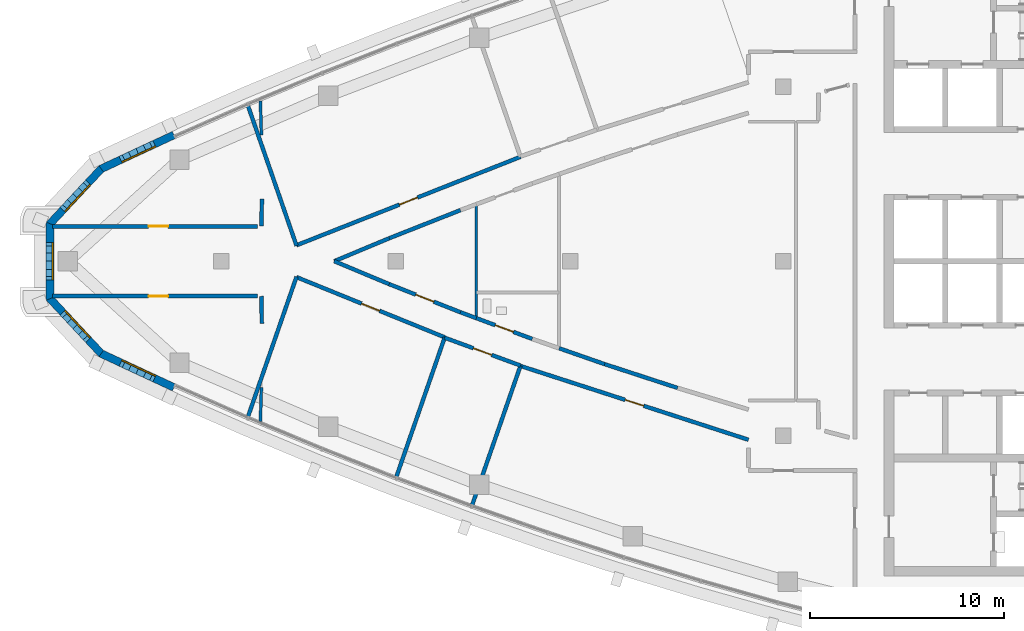
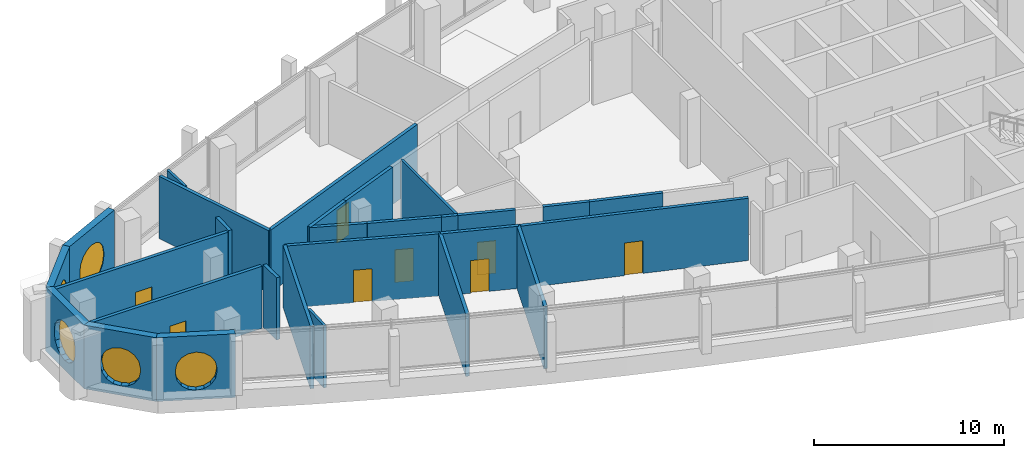
# One storey, part 7 of 15: 28 walls, 8 doors, 5 windows, 13 openings.
"""IFC4 building model written with IfcOpenShell, lengths in metres."""

from ifc_helpers import new_model, si_unit, direction, frame, frame_2d, origin, place, context, subcontext, project, spatial, polyline, rectangle, outline, extrude, material, layer, layer_set, type_object, element, fill, save


model = new_model("IFC4")

# Units and contexts
model_context = context("Model", 3, precision=1e-05, world=origin(), true_north=direction((0.0, 1.0)))
body_context = subcontext(model_context, "Body", "Model", "MODEL_VIEW")
ifc_project = project(units=[si_unit("LENGTHUNIT", "METRE"), si_unit("AREAUNIT", "SQUARE_METRE"), si_unit("VOLUMEUNIT", "CUBIC_METRE"), si_unit("PLANEANGLEUNIT", "RADIAN"), si_unit("MASSUNIT", "GRAM", prefix="KILO")], contexts=[model_context])

# Site, building, storey
site_placement = place(None, origin())
site = spatial("IfcSite", under=ifc_project, at=site_placement, CompositionType="ELEMENT")
building_placement = place(site_placement, origin())
building = spatial("IfcBuilding", under=site, at=building_placement, Name="Ostrand Prow Hotel Tower", CompositionType="ELEMENT")
storey_placement = place(building_placement, frame((0.0, 0.0, 318.60009765625)))
storey = spatial("IfcBuildingStorey", under=building, at=storey_placement, Name="C3", CompositionType="ELEMENT", Elevation=318.60009765625)

# Walls
ifc_material_1 = material(Name="Plasterboard partition")
ifc_layer_1 = layer(ifc_material_1, 0.14990234375)
ifc_layer_set_1 = layer_set([ifc_layer_1], Name="Plasterboard partition")
wall_type_1 = type_object("IfcWallType", Name="Partition 150 room partition", PredefinedType="PARTITIONING", material=ifc_layer_set_1)
wall_1_placement = place(storey_placement, frame((29.157470703125, -2.9375, 0.0), z_axis=(0.0, 0.0, 1.0), x_axis=(0.0, 1.0, 0.0)))
element("IfcWall", 1, at=wall_1_placement, inside=storey, type_object=wall_type_1, Name="ROOM PARTITION", PredefinedType="PARTITIONING", context=body_context, shape_type="SweptSolid", body=[
    extrude(rectangle(XDim=5.875, YDim=0.14990234375, at=frame_2d((2.9375, 0.0))), origin(), (0.0, 0.0, 1.0), 4.0),
])
for number, where, z_axis, x_axis, name in (
    (2, (18.016357421875, 8.268310546875, 0.0), (0.0, 0.0, 1.0), (0.031386501995, -0.999507322381, 0.0), "ROOM PARTITION"),
    (3, (18.071533203125, -6.51123046875, 0.0), (0.0, 0.0, 1.0), (-0.031386501995, -0.999507322381, 0.0), "ROOM PARTITION"),
):
    element("IfcWall", number, at=place(storey_placement, frame(where, z_axis=z_axis, x_axis=x_axis)), inside=storey, type_object=wall_type_1, Name=name, PredefinedType="PARTITIONING", context=body_context, shape_type="SweptSolid", body=[
        extrude(rectangle(XDim=1.758056640625, YDim=0.14990234375, at=frame_2d((0.87890625, 0.0))), origin(), (0.0, 0.0, 1.0), 4.0),
    ])

# Wall, opening, door
ifc_material_2 = material(Name="Plasterboard partition")
ifc_layer_2 = layer(ifc_material_2, 0.199951171875)
ifc_layer_set_2 = layer_set([ifc_layer_2], Name="Plasterboard partition")
wall_type_2 = type_object("IfcWallType", Name="Partition 200 corridor wall", PredefinedType="PARTITIONING", material=ifc_layer_set_2)
wall_2_placement = place(storey_placement, frame((7.287109375, 1.800048828125, 0.0), z_axis=(0.0, 0.0, 1.0), x_axis=(1.0, 0.0, 0.0)))
wall_2 = element("IfcWall", 4, at=wall_2_placement, inside=storey, type_object=wall_type_2, Name="CORRIDOR WALL", PredefinedType="PARTITIONING", context=body_context, shape_type="SweptSolid", body=[
    extrude(rectangle(XDim=10.58447265625, YDim=0.199951171875, at=frame_2d((5.292236328125, 0.0))), origin(), (0.0, 0.0, 1.0), 4.0),
])
opening_1_placement = place(wall_2_placement, frame((4.967041015625, 0.0, 0.0)))
opening_1 = element("IfcOpeningElement", 5, at=opening_1_placement, cuts=wall_2, Name="Opening D1", PredefinedType="OPENING", context=body_context, shape_type="SweptSolid", body=[
    extrude(rectangle(XDim=1.0, YDim=2.10009765625, at=frame_2d((0.5, 1.050048828125))), frame((0.0, 0.10986328125, 0.0), z_axis=(0.0, -1.0, 0.0), x_axis=(1.0, 0.0, 0.0)), (0.0, 0.0, 1.0), 0.219970703125),
])
ifc_material_3 = material(Name="Timber door leaf", Category="wood")
door_type_1 = type_object("IfcDoorType", Name="Guest room door 1000", OperationType="SINGLE_SWING_LEFT", PredefinedType="DOOR", material=ifc_material_3)
door_1_placement = place(opening_1_placement, origin())
door_1 = element("IfcDoor", 6, at=door_1_placement, inside=storey, type_object=door_type_1, Name="DOOR", OperationType="SINGLE_SWING_LEFT", OverallHeight=2.10009765625, OverallWidth=1.0, PredefinedType="DOOR", context=body_context, shape_type="SweptSolid", body=[
    extrude(rectangle(XDim=1.0, YDim=2.10009765625, at=frame_2d((0.5, 1.050048828125))), frame((0.0, 0.02490234375, 0.0), z_axis=(0.0, -1.0, 0.0), x_axis=(1.0, 0.0, 0.0)), (0.0, 0.0, 1.0), 0.050048828125),
])
fill(opening_1, door_1)

wall_3_placement = place(storey_placement, frame((7.287109375, -1.800048828125, 0.0), z_axis=(0.0, 0.0, 1.0), x_axis=(1.0, 0.0, 0.0)))
wall_3 = element("IfcWall", 7, at=wall_3_placement, inside=storey, type_object=wall_type_2, Name="CORRIDOR WALL", PredefinedType="PARTITIONING", context=body_context, shape_type="SweptSolid", body=[
    extrude(rectangle(XDim=10.58447265625, YDim=0.199951171875, at=frame_2d((5.292236328125, 0.0))), origin(), (0.0, 0.0, 1.0), 4.0),
])
opening_2_placement = place(wall_3_placement, frame((4.967041015625, 0.0, 0.0)))
opening_2 = element("IfcOpeningElement", 8, at=opening_2_placement, cuts=wall_3, Name="Opening D1R", PredefinedType="OPENING", context=body_context, shape_type="SweptSolid", body=[
    extrude(rectangle(XDim=1.0, YDim=2.10009765625, at=frame_2d((0.5, 1.050048828125))), frame((0.0, 0.10986328125, 0.0), z_axis=(0.0, -1.0, 0.0), x_axis=(1.0, 0.0, 0.0)), (0.0, 0.0, 1.0), 0.219970703125),
])
ifc_material_4 = material(Name="Timber door leaf", Category="wood")
door_type_2 = type_object("IfcDoorType", Name="Guest room door 1000 right", OperationType="SINGLE_SWING_RIGHT", PredefinedType="DOOR", material=ifc_material_4)
door_2_placement = place(opening_2_placement, origin())
door_2 = element("IfcDoor", 9, at=door_2_placement, inside=storey, type_object=door_type_2, Name="DOOR", OperationType="SINGLE_SWING_RIGHT", OverallHeight=2.10009765625, OverallWidth=1.0, PredefinedType="DOOR", context=body_context, shape_type="SweptSolid", body=[
    extrude(rectangle(XDim=1.0, YDim=2.10009765625, at=frame_2d((0.5, 1.050048828125))), frame((0.0, 0.02490234375, 0.0), z_axis=(0.0, -1.0, 0.0), x_axis=(1.0, 0.0, 0.0)), (0.0, 0.0, 1.0), 0.050048828125),
])
fill(opening_2, door_2)

wall_4_placement = place(storey_placement, frame((19.876708984375, 0.819091796875, 0.0), z_axis=(0.0, 0.0, 1.0), x_axis=(0.930118332169, 0.367259973538, 0.0)))
wall_4 = element("IfcWall", 10, at=wall_4_placement, inside=storey, type_object=wall_type_2, Name="CORRIDOR WALL", PredefinedType="PARTITIONING", context=body_context, shape_type="SweptSolid", body=[
    extrude(rectangle(XDim=12.43310546875, YDim=0.199951171875, at=frame_2d((6.216552734375, 0.0))), origin(), (0.0, 0.0, 1.0), 4.0),
])
opening_3_placement = place(wall_4_placement, frame((5.71630859375, 0.0, 0.0)))
opening_3 = element("IfcOpeningElement", 11, at=opening_3_placement, cuts=wall_4, Name="Opening D1", PredefinedType="OPENING", context=body_context, shape_type="SweptSolid", body=[
    extrude(rectangle(XDim=1.0, YDim=2.10009765625, at=frame_2d((0.5, 1.050048828125))), frame((0.0, 0.10986328125, 0.0), z_axis=(0.0, -1.0, 0.0), x_axis=(1.0, 0.0, 0.0)), (0.0, 0.0, 1.0), 0.219970703125),
])
door_3_placement = place(opening_3_placement, origin())
door_3 = element("IfcDoor", 12, at=door_3_placement, inside=storey, type_object=door_type_1, Name="DOOR", OperationType="SINGLE_SWING_LEFT", OverallHeight=2.10009765625, OverallWidth=1.0, PredefinedType="DOOR", context=body_context, shape_type="SweptSolid", body=[
    extrude(rectangle(XDim=1.0, YDim=2.10009765625, at=frame_2d((0.5, 1.050048828125))), frame((0.0, 0.02490234375, 0.0), z_axis=(0.0, -1.0, 0.0), x_axis=(1.0, 0.0, 0.0)), (0.0, 0.0, 1.0), 0.050048828125),
])
fill(opening_3, door_3)

wall_5_placement = place(storey_placement, frame((19.876708984375, -0.819091796875, 0.0), z_axis=(0.0, 0.0, 1.0), x_axis=(0.926527754448, -0.376226421503, 0.0)))
wall_5 = element("IfcWall", 13, at=wall_5_placement, inside=storey, type_object=wall_type_2, Name="CORRIDOR WALL", PredefinedType="PARTITIONING", context=body_context, shape_type="SweptSolid", body=[
    extrude(rectangle(XDim=8.2607421875, YDim=0.199951171875, at=frame_2d((4.13037109375, 0.0))), origin(), (0.0, 0.0, 1.0), 4.0),
])
opening_4_placement = place(wall_5_placement, frame((3.63037109375, 0.0, 0.0)))
opening_4 = element("IfcOpeningElement", 14, at=opening_4_placement, cuts=wall_5, Name="Opening D1R", PredefinedType="OPENING", context=body_context, shape_type="SweptSolid", body=[
    extrude(rectangle(XDim=1.0, YDim=2.10009765625, at=frame_2d((0.5, 1.050048828125))), frame((0.0, 0.10986328125, 0.0), z_axis=(0.0, -1.0, 0.0), x_axis=(1.0, 0.0, 0.0)), (0.0, 0.0, 1.0), 0.219970703125),
])
door_4_placement = place(opening_4_placement, origin())
door_4 = element("IfcDoor", 15, at=door_4_placement, inside=storey, type_object=door_type_2, Name="DOOR", OperationType="SINGLE_SWING_RIGHT", OverallHeight=2.10009765625, OverallWidth=1.0, PredefinedType="DOOR", context=body_context, shape_type="SweptSolid", body=[
    extrude(rectangle(XDim=1.0, YDim=2.10009765625, at=frame_2d((0.5, 1.050048828125))), frame((0.0, 0.02490234375, 0.0), z_axis=(0.0, -1.0, 0.0), x_axis=(1.0, 0.0, 0.0)), (0.0, 0.0, 1.0), 0.050048828125),
])
fill(opening_4, door_4)

wall_6_placement = place(storey_placement, frame((27.52392578125, -3.94580078125, 0.0), z_axis=(0.0, 0.0, 1.0), x_axis=(0.938626470437, -0.344935282329, 0.0)))
wall_6 = element("IfcWall", 16, at=wall_6_placement, inside=storey, type_object=wall_type_2, Name="CORRIDOR WALL", PredefinedType="PARTITIONING", context=body_context, shape_type="SweptSolid", body=[
    extrude(rectangle(XDim=4.173095703125, YDim=0.199951171875, at=frame_2d((2.08642578125, 0.0))), origin(), (0.0, 0.0, 1.0), 4.0),
])
opening_5_placement = place(wall_6_placement, frame((1.58642578125, 0.0, 0.0)))
opening_5 = element("IfcOpeningElement", 17, at=opening_5_placement, cuts=wall_6, Name="Opening D1", PredefinedType="OPENING", context=body_context, shape_type="SweptSolid", body=[
    extrude(rectangle(XDim=1.0, YDim=2.10009765625, at=frame_2d((0.5, 1.050048828125))), frame((0.0, 0.10986328125, 0.0), z_axis=(0.0, -1.0, 0.0), x_axis=(1.0, 0.0, 0.0)), (0.0, 0.0, 1.0), 0.219970703125),
])
door_5_placement = place(opening_5_placement, origin())
door_5 = element("IfcDoor", 18, at=door_5_placement, inside=storey, type_object=door_type_1, Name="DOOR", OperationType="SINGLE_SWING_LEFT", OverallHeight=2.10009765625, OverallWidth=1.0, PredefinedType="DOOR", context=body_context, shape_type="SweptSolid", body=[
    extrude(rectangle(XDim=1.0, YDim=2.10009765625, at=frame_2d((0.5, 1.050048828125))), frame((0.0, 0.02490234375, 0.0), z_axis=(0.0, -1.0, 0.0), x_axis=(1.0, 0.0, 0.0)), (0.0, 0.0, 1.0), 0.050048828125),
])
fill(opening_5, door_5)

wall_7_placement = place(storey_placement, frame((31.43408203125, -5.404052734375, 0.0), z_axis=(0.0, 0.0, 1.0), x_axis=(0.95140318728, -0.307948007353, 0.0)))
wall_7 = element("IfcWall", 19, at=wall_7_placement, inside=storey, type_object=wall_type_2, Name="CORRIDOR WALL", PredefinedType="PARTITIONING", context=body_context, shape_type="SweptSolid", body=[
    extrude(rectangle(XDim=12.366943359375, YDim=0.199951171875, at=frame_2d((6.18359375, 0.0))), origin(), (0.0, 0.0, 1.0), 4.0),
])
opening_6_placement = place(wall_7_placement, frame((5.683349609375, 0.0, 0.0)))
opening_6 = element("IfcOpeningElement", 20, at=opening_6_placement, cuts=wall_7, Name="Opening D1R", PredefinedType="OPENING", context=body_context, shape_type="SweptSolid", body=[
    extrude(rectangle(XDim=1.0, YDim=2.10009765625, at=frame_2d((0.5, 1.050048828125))), frame((0.0, 0.10986328125, 0.0), z_axis=(0.0, -1.0, 0.0), x_axis=(1.0, 0.0, 0.0)), (0.0, 0.0, 1.0), 0.219970703125),
])
door_6_placement = place(opening_6_placement, origin())
door_6 = element("IfcDoor", 21, at=door_6_placement, inside=storey, type_object=door_type_2, Name="DOOR", OperationType="SINGLE_SWING_RIGHT", OverallHeight=2.10009765625, OverallWidth=1.0, PredefinedType="DOOR", context=body_context, shape_type="SweptSolid", body=[
    extrude(rectangle(XDim=1.0, YDim=2.10009765625, at=frame_2d((0.5, 1.050048828125))), frame((0.0, 0.02490234375, 0.0), z_axis=(0.0, -1.0, 0.0), x_axis=(1.0, 0.0, 0.0)), (0.0, 0.0, 1.0), 0.050048828125),
])
fill(opening_6, door_6)

wall_8_placement = place(storey_placement, frame((28.3408203125, -2.634033203125, 0.0), z_axis=(0.0, 0.0, 1.0), x_axis=(-0.930283315105, 0.366841864619, 0.0)))
wall_8 = element("IfcWall", 22, at=wall_8_placement, inside=storey, type_object=wall_type_2, Name="CORRIDOR WALL", PredefinedType="PARTITIONING", context=body_context, shape_type="SweptSolid", body=[
    extrude(rectangle(XDim=3.955078125, YDim=0.199951171875, at=frame_2d((1.9775390625, 0.0))), origin(), (0.0, 0.0, 1.0), 4.0),
])
opening_7_placement = place(wall_8_placement, frame((1.4775390625, 0.0, 0.0)))
opening_7 = element("IfcOpeningElement", 23, at=opening_7_placement, cuts=wall_8, Name="Opening D1", PredefinedType="OPENING", context=body_context, shape_type="SweptSolid", body=[
    extrude(rectangle(XDim=1.0, YDim=2.10009765625, at=frame_2d((0.5, 1.050048828125))), frame((0.0, 0.10986328125, 0.0), z_axis=(0.0, -1.0, 0.0), x_axis=(1.0, 0.0, 0.0)), (0.0, 0.0, 1.0), 0.219970703125),
])
door_7_placement = place(opening_7_placement, origin())
door_7 = element("IfcDoor", 24, at=door_7_placement, inside=storey, type_object=door_type_1, Name="DOOR", OperationType="SINGLE_SWING_LEFT", OverallHeight=2.10009765625, OverallWidth=1.0, PredefinedType="DOOR", context=body_context, shape_type="SweptSolid", body=[
    extrude(rectangle(XDim=1.0, YDim=2.10009765625, at=frame_2d((0.5, 1.050048828125))), frame((0.0, 0.02490234375, 0.0), z_axis=(0.0, -1.0, 0.0), x_axis=(1.0, 0.0, 0.0)), (0.0, 0.0, 1.0), 0.050048828125),
])
fill(opening_7, door_7)

# Walls
for number, where, z_axis, x_axis, name in (
    (25, (24.661376953125, -1.18310546875, 0.0), (0.0, 0.0, 1.0), (-0.922730626167, 0.3854454456, 0.0), "CORRIDOR WALL"),
    (26, (21.8291015625, 0.0, 0.0), (0.0, 0.0, 1.0), (0.922730626167, 0.3854454456, 0.0), "CORRIDOR WALL"),
):
    element("IfcWall", number, at=place(storey_placement, frame(where, z_axis=z_axis, x_axis=x_axis)), inside=storey, type_object=wall_type_2, Name=name, PredefinedType="PARTITIONING", context=body_context, shape_type="SweptSolid", body=[
        extrude(rectangle(XDim=3.0693359375, YDim=0.199951171875, at=frame_2d((1.53466796875, 0.0))), origin(), (0.0, 0.0, 1.0), 4.0),
    ])
wall_9_placement = place(storey_placement, frame((24.661376953125, 1.18310546875, 0.0), z_axis=(0.0, 0.0, 1.0), x_axis=(0.930283315105, 0.366841864619, 0.0)))
element("IfcWall", 27, at=wall_9_placement, inside=storey, type_object=wall_type_2, Name="CORRIDOR WALL", PredefinedType="PARTITIONING", context=body_context, shape_type="SweptSolid", body=[
    extrude(rectangle(XDim=3.955078125, YDim=0.199951171875, at=frame_2d((1.9775390625, 0.0))), origin(), (0.0, 0.0, 1.0), 4.0),
])
wall_10_placement = place(storey_placement, frame((29.157470703125, -2.9375, 0.0), z_axis=(0.0, 0.0, 1.0), x_axis=(-0.93737299453, 0.348327244305, 0.0)))
element("IfcWall", 28, at=wall_10_placement, inside=storey, type_object=wall_type_2, Name="CORRIDOR WALL", PredefinedType="PARTITIONING", context=body_context, shape_type="SweptSolid", body=[
    extrude(rectangle(XDim=0.87109375, YDim=0.199951171875, at=frame_2d((0.435546875, 0.0))), origin(), (0.0, 0.0, 1.0), 4.0),
])

# Wall, opening, door
wall_11_placement = place(storey_placement, frame((32.048583984375, -4.0107421875, 0.0), z_axis=(0.0, 0.0, 1.0), x_axis=(-0.937488748575, 0.348015583409, 0.0)))
wall_11 = element("IfcWall", 29, at=wall_11_placement, inside=storey, type_object=wall_type_2, Name="CORRIDOR WALL", PredefinedType="PARTITIONING", context=body_context, shape_type="SweptSolid", body=[
    extrude(rectangle(XDim=3.083984375, YDim=0.199951171875, at=frame_2d((1.5419921875, 0.0))), origin(), (0.0, 0.0, 1.0), 4.0),
])
opening_8_placement = place(wall_11_placement, frame((1.0419921875, 0.0, 0.0)))
opening_8 = element("IfcOpeningElement", 30, at=opening_8_placement, cuts=wall_11, Name="Opening D1R", PredefinedType="OPENING", context=body_context, shape_type="SweptSolid", body=[
    extrude(rectangle(XDim=1.0, YDim=2.10009765625, at=frame_2d((0.5, 1.050048828125))), frame((0.0, 0.10986328125, 0.0), z_axis=(0.0, -1.0, 0.0), x_axis=(1.0, 0.0, 0.0)), (0.0, 0.0, 1.0), 0.219970703125),
])
door_8_placement = place(opening_8_placement, origin())
door_8 = element("IfcDoor", 31, at=door_8_placement, inside=storey, type_object=door_type_2, Name="DOOR", OperationType="SINGLE_SWING_RIGHT", OverallHeight=2.10009765625, OverallWidth=1.0, PredefinedType="DOOR", context=body_context, shape_type="SweptSolid", body=[
    extrude(rectangle(XDim=1.0, YDim=2.10009765625, at=frame_2d((0.5, 1.050048828125))), frame((0.0, 0.02490234375, 0.0), z_axis=(0.0, -1.0, 0.0), x_axis=(1.0, 0.0, 0.0)), (0.0, 0.0, 1.0), 0.050048828125),
])
fill(opening_8, door_8)

# Walls
wall_12_placement = place(storey_placement, frame((39.543701171875, -6.539306640625, 0.0), z_axis=(0.0, 0.0, 1.0), x_axis=(-0.950700567571, 0.310110352648, 0.0)))
element("IfcWall", 32, at=wall_12_placement, inside=storey, type_object=wall_type_2, Name="CORRIDOR WALL", PredefinedType="PARTITIONING", context=body_context, shape_type="SweptSolid", body=[
    extrude(rectangle(XDim=3.955322265625, YDim=0.199951171875, at=frame_2d((1.9775390625, 0.0))), origin(), (0.0, 0.0, 1.0), 4.0),
])
wall_13_placement = place(storey_placement, frame((35.783447265625, -5.312744140625, 0.0), z_axis=(0.0, 0.0, 1.0), x_axis=(-0.944259742102, 0.329201366106, 0.0)))
element("IfcWall", 33, at=wall_13_placement, inside=storey, type_object=wall_type_2, Name="CORRIDOR WALL", PredefinedType="PARTITIONING", context=body_context, shape_type="SweptSolid", body=[
    extrude(rectangle(XDim=2.489501953125, YDim=0.199951171875, at=frame_2d((1.24462890625, 0.0))), origin(), (0.0, 0.0, 1.0), 4.0),
])
wall_14_placement = place(storey_placement, frame((18.071533203125, 1.80810546875, 0.0), z_axis=(0.0, 0.0, 1.0), x_axis=(0.01756250826, 0.999845767258, 0.0)))
element("IfcWall", 34, at=wall_14_placement, inside=storey, type_object=wall_type_2, Name="CORRIDOR WALL", PredefinedType="PARTITIONING", context=body_context, shape_type="SweptSolid", body=[
    extrude(rectangle(XDim=1.404052734375, YDim=0.199951171875, at=frame_2d((0.7021484375, 0.0))), origin(), (0.0, 0.0, 1.0), 4.0),
])
wall_15_placement = place(storey_placement, frame((18.09228515625, -3.21240234375, 0.0), z_axis=(0.0, 0.0, 1.0), x_axis=(-0.014775855466, 0.999890831089, 0.0)))
element("IfcWall", 35, at=wall_15_placement, inside=storey, type_object=wall_type_2, Name="CORRIDOR WALL", PredefinedType="PARTITIONING", context=body_context, shape_type="SweptSolid", body=[
    extrude(rectangle(XDim=1.404541015625, YDim=0.199951171875, at=frame_2d((0.7021484375, 0.0))), origin(), (0.0, 0.0, 1.0), 4.0),
])
ifc_material_5 = material(Name="Plasterboard partition")
ifc_layer_3 = layer(ifc_material_5, 0.199951171875)
ifc_layer_set_3 = layer_set([ifc_layer_3], Name="Plasterboard partition")
wall_type_3 = type_object("IfcWallType", Name="Partition 200 key partition", PredefinedType="PARTITIONING", material=ifc_layer_set_3)
for number, where, z_axis, x_axis, name in (
    (36, (19.88330078125, 0.800048828125, 0.0), (0.0, 0.0, 1.0), (-0.327720796798, 0.94477461828, 0.0), "KEY PARTITION"),
    (37, (17.38427734375, -8.00439453125, 0.0), (0.0, 0.0, 1.0), (0.327720796798, 0.94477461828, 0.0), "KEY PARTITION"),
):
    element("IfcWall", number, at=place(storey_placement, frame(where, z_axis=z_axis, x_axis=x_axis)), inside=storey, type_object=wall_type_3, Name=name, PredefinedType="PARTITIONING", context=body_context, shape_type="SweptSolid", body=[
        extrude(rectangle(XDim=7.62548828125, YDim=0.199951171875, at=frame_2d((3.812744140625, 0.0))), origin(), (0.0, 0.0, 1.0), 4.0),
    ])
wall_16_placement = place(storey_placement, frame((25.03759765625, -11.113525390625, 0.0), z_axis=(0.0, 0.0, 1.0), x_axis=(0.327730022722, 0.944771417966, 0.0)))
element("IfcWall", 38, at=wall_16_placement, inside=storey, type_object=wall_type_3, Name="KEY PARTITION", PredefinedType="PARTITIONING", context=body_context, shape_type="SweptSolid", body=[
    extrude(rectangle(XDim=7.606689453125, YDim=0.199951171875, at=frame_2d((3.80322265625, 0.0))), origin(), (0.0, 0.0, 1.0), 4.0),
])
wall_17_placement = place(storey_placement, frame((28.949462890625, -12.567138671875, 0.0), z_axis=(0.0, 0.0, 1.0), x_axis=(0.327746961166, 0.944765542051, 0.0)))
element("IfcWall", 39, at=wall_17_placement, inside=storey, type_object=wall_type_3, Name="KEY PARTITION", PredefinedType="PARTITIONING", context=body_context, shape_type="SweptSolid", body=[
    extrude(rectangle(XDim=7.601806640625, YDim=0.199951171875, at=frame_2d((3.80078125, 0.0))), origin(), (0.0, 0.0, 1.0), 4.0),
])

# Wall, opening, window
ifc_material_6 = material(Name="Precast concrete C40/50", Category="concrete")
ifc_layer_4 = layer(ifc_material_6, 0.39990234375)
ifc_layer_set_4 = layer_set([ifc_layer_4], Name="Precast concrete C40/50")
wall_type_4 = type_object("IfcWallType", Name="Stone-faced precast wall 400 mm", PredefinedType="NOTDEFINED", material=ifc_layer_set_4)
wall_18_placement = place(storey_placement, frame((13.55859375, 6.5146484375, 0.0), z_axis=(0.0, 0.0, 1.0), x_axis=(-0.906485602396, -0.42223672584, 0.0)))
wall_18 = element("IfcWall", 40, at=wall_18_placement, inside=storey, type_object=wall_type_4, Name="Stone-faced wall prow 1", PredefinedType="NOTDEFINED", context=body_context, shape_type="SweptSolid", body=[
    extrude(outline(polyline([(0.0, -0.199951171875), (4.1806640625, -0.199951171875), (4.1025390625, 0.199951171875), (0.0, 0.199951171875), (0.0, -0.199951171875)])), origin(), (0.0, 0.0, 1.0), 4.099853515625),
])
opening_9_placement = place(wall_18_placement, frame((0.970947265625, 0.0, 0.60009765625)))
opening_9 = element("IfcOpeningElement", 41, at=opening_9_placement, cuts=wall_18, Name="Opening WP1", PredefinedType="OPENING", context=body_context, shape_type="SweptSolid", body=[
    extrude(outline(polyline([(0.0, 1.35009765625), (0.083740234375, 1.77099609375), (0.322265625, 2.127685546875), (0.678955078125, 2.3662109375), (1.10009765625, 2.449951171875), (1.52099609375, 2.3662109375), (1.877685546875, 2.127685546875), (2.1162109375, 1.77099609375), (2.199951171875, 1.35009765625), (2.199951171875, 1.10009765625), (2.1162109375, 0.678955078125), (1.877685546875, 0.322265625), (1.52099609375, 0.083740234375), (1.10009765625, 0.0), (0.678955078125, 0.083740234375), (0.322265625, 0.322265625), (0.083740234375, 0.678955078125), (0.0, 1.099853515625), (0.0, 1.35009765625)])), frame((0.0, 0.2099609375, 0.0), z_axis=(0.0, -1.0, 0.0), x_axis=(1.0, 0.0, 0.0)), (0.0, 0.0, 1.0), 0.419921875),
])
ifc_material_7 = material(Name="Insulated glass in bronze frame", Category="glass")
window_type = type_object("IfcWindowType", Name="Round-ended prow window 2200x2450", PartitioningType="SINGLE_PANEL", PredefinedType="WINDOW", material=ifc_material_7)
window_1_placement = place(opening_9_placement, origin())
window_1 = element("IfcWindow", 42, at=window_1_placement, inside=storey, type_object=window_type, Name="Window prow 1.1", OverallHeight=2.449951171875, OverallWidth=2.199951171875, PartitioningType="SINGLE_PANEL", PredefinedType="WINDOW", context=body_context, shape_type="SweptSolid", body=[
    extrude(outline(polyline([(0.0, 1.35009765625), (0.083740234375, 1.77099609375), (0.322265625, 2.127685546875), (0.678955078125, 2.3662109375), (1.10009765625, 2.449951171875), (1.52099609375, 2.3662109375), (1.877685546875, 2.127685546875), (2.1162109375, 1.77099609375), (2.199951171875, 1.35009765625), (2.199951171875, 1.10009765625), (2.1162109375, 0.678955078125), (1.877685546875, 0.322265625), (1.52099609375, 0.083740234375), (1.10009765625, 0.0), (0.678955078125, 0.083740234375), (0.322265625, 0.322265625), (0.083740234375, 0.678955078125), (0.0, 1.099853515625), (0.0, 1.35009765625)])), frame((0.0, 0.169921875, 0.0), z_axis=(0.0, -1.0, 0.0), x_axis=(1.0, 0.0, 0.0)), (0.0, 0.0, 1.0), 0.06005859375),
])
fill(opening_9, window_1)

wall_19_placement = place(storey_placement, frame((9.80419921875, 4.765869140625, 0.0), z_axis=(0.0, 0.0, 1.0), x_axis=(-0.6815467277, -0.73177459505, 0.0)))
wall_19 = element("IfcWall", 43, at=wall_19_placement, inside=storey, type_object=wall_type_4, Name="Stone-faced wall prow 2", PredefinedType="NOTDEFINED", context=body_context, shape_type="SweptSolid", body=[
    extrude(outline(polyline([(-0.0390625, -0.199951171875), (3.94775390625, -0.199951171875), (3.79052734375, 0.199951171875), (0.0390625, 0.199951171875), (-0.0390625, -0.199951171875)])), origin(), (0.0, 0.0, 1.0), 4.099853515625),
])
opening_10_placement = place(wall_19_placement, frame((0.834716796875, 0.0, 0.60009765625)))
opening_10 = element("IfcOpeningElement", 44, at=opening_10_placement, cuts=wall_19, Name="Opening WP1", PredefinedType="OPENING", context=body_context, shape_type="SweptSolid", body=[
    extrude(outline(polyline([(0.0, 1.35009765625), (0.083740234375, 1.77099609375), (0.322265625, 2.127685546875), (0.678955078125, 2.3662109375), (1.10009765625, 2.449951171875), (1.52099609375, 2.3662109375), (1.877685546875, 2.127685546875), (2.1162109375, 1.77099609375), (2.199951171875, 1.35009765625), (2.199951171875, 1.10009765625), (2.1162109375, 0.678955078125), (1.877685546875, 0.322265625), (1.52099609375, 0.083740234375), (1.10009765625, 0.0), (0.678955078125, 0.083740234375), (0.322265625, 0.322265625), (0.083740234375, 0.678955078125), (0.0, 1.099853515625), (0.0, 1.35009765625)])), frame((0.0, 0.2099609375, 0.0), z_axis=(0.0, -1.0, 0.0), x_axis=(1.0, 0.0, 0.0)), (0.0, 0.0, 1.0), 0.419921875),
])
window_2_placement = place(opening_10_placement, origin())
window_2 = element("IfcWindow", 45, at=window_2_placement, inside=storey, type_object=window_type, Name="Window prow 2.1", OverallHeight=2.449951171875, OverallWidth=2.199951171875, PartitioningType="SINGLE_PANEL", PredefinedType="WINDOW", context=body_context, shape_type="SweptSolid", body=[
    extrude(outline(polyline([(0.0, 1.35009765625), (0.083740234375, 1.77099609375), (0.322265625, 2.127685546875), (0.678955078125, 2.3662109375), (1.10009765625, 2.449951171875), (1.52099609375, 2.3662109375), (1.877685546875, 2.127685546875), (2.1162109375, 1.77099609375), (2.199951171875, 1.35009765625), (2.199951171875, 1.10009765625), (2.1162109375, 0.678955078125), (1.877685546875, 0.322265625), (1.52099609375, 0.083740234375), (1.10009765625, 0.0), (0.678955078125, 0.083740234375), (0.322265625, 0.322265625), (0.083740234375, 0.678955078125), (0.0, 1.099853515625), (0.0, 1.35009765625)])), frame((0.0, 0.169921875, 0.0), z_axis=(0.0, -1.0, 0.0), x_axis=(1.0, 0.0, 0.0)), (0.0, 0.0, 1.0), 0.06005859375),
])
fill(opening_10, window_2)

wall_20_placement = place(storey_placement, frame((7.167236328125, 1.9345703125, 0.0), z_axis=(0.0, 0.0, 1.0), x_axis=(0.0, -1.0, 0.0)))
wall_20 = element("IfcWall", 46, at=wall_20_placement, inside=storey, type_object=wall_type_4, Name="Stone-faced wall prow 3", PredefinedType="NOTDEFINED", context=body_context, shape_type="SweptSolid", body=[
    extrude(outline(polyline([(-0.07861328125, -0.199951171875), (3.94775390625, -0.199951171875), (3.79052734375, 0.199951171875), (0.07861328125, 0.199951171875), (-0.07861328125, -0.199951171875)])), origin(), (0.0, 0.0, 1.0), 4.099853515625),
])
opening_11_placement = place(wall_20_placement, frame((0.834716796875, 0.0, 0.60009765625)))
opening_11 = element("IfcOpeningElement", 47, at=opening_11_placement, cuts=wall_20, Name="Opening WP1", PredefinedType="OPENING", context=body_context, shape_type="SweptSolid", body=[
    extrude(outline(polyline([(0.0, 1.35009765625), (0.083740234375, 1.77099609375), (0.322265625, 2.127685546875), (0.678955078125, 2.3662109375), (1.10009765625, 2.449951171875), (1.52099609375, 2.3662109375), (1.877685546875, 2.127685546875), (2.1162109375, 1.77099609375), (2.199951171875, 1.35009765625), (2.199951171875, 1.10009765625), (2.1162109375, 0.678955078125), (1.877685546875, 0.322265625), (1.52099609375, 0.083740234375), (1.10009765625, 0.0), (0.678955078125, 0.083740234375), (0.322265625, 0.322265625), (0.083740234375, 0.678955078125), (0.0, 1.099853515625), (0.0, 1.35009765625)])), frame((0.0, 0.2099609375, 0.0), z_axis=(0.0, -1.0, 0.0), x_axis=(1.0, 0.0, 0.0)), (0.0, 0.0, 1.0), 0.419921875),
])
window_3_placement = place(opening_11_placement, origin())
window_3 = element("IfcWindow", 48, at=window_3_placement, inside=storey, type_object=window_type, Name="Window prow 3.1", OverallHeight=2.449951171875, OverallWidth=2.199951171875, PartitioningType="SINGLE_PANEL", PredefinedType="WINDOW", context=body_context, shape_type="SweptSolid", body=[
    extrude(outline(polyline([(0.0, 1.35009765625), (0.083740234375, 1.77099609375), (0.322265625, 2.127685546875), (0.678955078125, 2.3662109375), (1.10009765625, 2.449951171875), (1.52099609375, 2.3662109375), (1.877685546875, 2.127685546875), (2.1162109375, 1.77099609375), (2.199951171875, 1.35009765625), (2.199951171875, 1.10009765625), (2.1162109375, 0.678955078125), (1.877685546875, 0.322265625), (1.52099609375, 0.083740234375), (1.10009765625, 0.0), (0.678955078125, 0.083740234375), (0.322265625, 0.322265625), (0.083740234375, 0.678955078125), (0.0, 1.099853515625), (0.0, 1.35009765625)])), frame((0.0, 0.169921875, 0.0), z_axis=(0.0, -1.0, 0.0), x_axis=(1.0, 0.0, 0.0)), (0.0, 0.0, 1.0), 0.06005859375),
])
fill(opening_11, window_3)

wall_21_placement = place(storey_placement, frame((7.167236328125, -1.9345703125, 0.0), z_axis=(0.0, 0.0, 1.0), x_axis=(0.6815467277, -0.73177459505, 0.0)))
wall_21 = element("IfcWall", 49, at=wall_21_placement, inside=storey, type_object=wall_type_4, Name="Stone-faced wall prow 4", PredefinedType="NOTDEFINED", context=body_context, shape_type="SweptSolid", body=[
    extrude(outline(polyline([(-0.07861328125, -0.199951171875), (3.908203125, -0.199951171875), (3.830078125, 0.199951171875), (0.07861328125, 0.199951171875), (-0.07861328125, -0.199951171875)])), origin(), (0.0, 0.0, 1.0), 4.099853515625),
])
opening_12_placement = place(wall_21_placement, frame((0.834716796875, 0.0, 0.60009765625)))
opening_12 = element("IfcOpeningElement", 50, at=opening_12_placement, cuts=wall_21, Name="Opening WP1", PredefinedType="OPENING", context=body_context, shape_type="SweptSolid", body=[
    extrude(outline(polyline([(0.0, 1.35009765625), (0.083740234375, 1.77099609375), (0.322265625, 2.127685546875), (0.678955078125, 2.3662109375), (1.10009765625, 2.449951171875), (1.52099609375, 2.3662109375), (1.877685546875, 2.127685546875), (2.1162109375, 1.77099609375), (2.199951171875, 1.35009765625), (2.199951171875, 1.10009765625), (2.1162109375, 0.678955078125), (1.877685546875, 0.322265625), (1.52099609375, 0.083740234375), (1.10009765625, 0.0), (0.678955078125, 0.083740234375), (0.322265625, 0.322265625), (0.083740234375, 0.678955078125), (0.0, 1.099853515625), (0.0, 1.35009765625)])), frame((0.0, 0.2099609375, 0.0), z_axis=(0.0, -1.0, 0.0), x_axis=(1.0, 0.0, 0.0)), (0.0, 0.0, 1.0), 0.419921875),
])
window_4_placement = place(opening_12_placement, origin())
window_4 = element("IfcWindow", 51, at=window_4_placement, inside=storey, type_object=window_type, Name="Window prow 4.1", OverallHeight=2.449951171875, OverallWidth=2.199951171875, PartitioningType="SINGLE_PANEL", PredefinedType="WINDOW", context=body_context, shape_type="SweptSolid", body=[
    extrude(outline(polyline([(0.0, 1.35009765625), (0.083740234375, 1.77099609375), (0.322265625, 2.127685546875), (0.678955078125, 2.3662109375), (1.10009765625, 2.449951171875), (1.52099609375, 2.3662109375), (1.877685546875, 2.127685546875), (2.1162109375, 1.77099609375), (2.199951171875, 1.35009765625), (2.199951171875, 1.10009765625), (2.1162109375, 0.678955078125), (1.877685546875, 0.322265625), (1.52099609375, 0.083740234375), (1.10009765625, 0.0), (0.678955078125, 0.083740234375), (0.322265625, 0.322265625), (0.083740234375, 0.678955078125), (0.0, 1.099853515625), (0.0, 1.35009765625)])), frame((0.0, 0.169921875, 0.0), z_axis=(0.0, -1.0, 0.0), x_axis=(1.0, 0.0, 0.0)), (0.0, 0.0, 1.0), 0.06005859375),
])
fill(opening_12, window_4)

wall_22_placement = place(storey_placement, frame((9.80419921875, -4.765869140625, 0.0), z_axis=(0.0, 0.0, 1.0), x_axis=(0.906485602396, -0.42223672584, 0.0)))
wall_22 = element("IfcWall", 52, at=wall_22_placement, inside=storey, type_object=wall_type_4, Name="Stone-faced wall prow 5", PredefinedType="NOTDEFINED", context=body_context, shape_type="SweptSolid", body=[
    extrude(outline(polyline([(-0.0390625, -0.199951171875), (4.1416015625, -0.199951171875), (4.1416015625, 0.199951171875), (0.0390625, 0.199951171875), (-0.0390625, -0.199951171875)])), origin(), (0.0, 0.0, 1.0), 4.099853515625),
])
opening_13_placement = place(wall_22_placement, frame((0.970947265625, 0.0, 0.60009765625)))
opening_13 = element("IfcOpeningElement", 53, at=opening_13_placement, cuts=wall_22, Name="Opening WP1", PredefinedType="OPENING", context=body_context, shape_type="SweptSolid", body=[
    extrude(outline(polyline([(0.0, 1.35009765625), (0.083740234375, 1.77099609375), (0.322265625, 2.127685546875), (0.678955078125, 2.3662109375), (1.10009765625, 2.449951171875), (1.52099609375, 2.3662109375), (1.877685546875, 2.127685546875), (2.1162109375, 1.77099609375), (2.199951171875, 1.35009765625), (2.199951171875, 1.10009765625), (2.1162109375, 0.678955078125), (1.877685546875, 0.322265625), (1.52099609375, 0.083740234375), (1.10009765625, 0.0), (0.678955078125, 0.083740234375), (0.322265625, 0.322265625), (0.083740234375, 0.678955078125), (0.0, 1.099853515625), (0.0, 1.35009765625)])), frame((0.0, 0.2099609375, 0.0), z_axis=(0.0, -1.0, 0.0), x_axis=(1.0, 0.0, 0.0)), (0.0, 0.0, 1.0), 0.419921875),
])
window_5_placement = place(opening_13_placement, origin())
window_5 = element("IfcWindow", 54, at=window_5_placement, inside=storey, type_object=window_type, Name="Window prow 5.1", OverallHeight=2.449951171875, OverallWidth=2.199951171875, PartitioningType="SINGLE_PANEL", PredefinedType="WINDOW", context=body_context, shape_type="SweptSolid", body=[
    extrude(outline(polyline([(0.0, 1.35009765625), (0.083740234375, 1.77099609375), (0.322265625, 2.127685546875), (0.678955078125, 2.3662109375), (1.10009765625, 2.449951171875), (1.52099609375, 2.3662109375), (1.877685546875, 2.127685546875), (2.1162109375, 1.77099609375), (2.199951171875, 1.35009765625), (2.199951171875, 1.10009765625), (2.1162109375, 0.678955078125), (1.877685546875, 0.322265625), (1.52099609375, 0.083740234375), (1.10009765625, 0.0), (0.678955078125, 0.083740234375), (0.322265625, 0.322265625), (0.083740234375, 0.678955078125), (0.0, 1.099853515625), (0.0, 1.35009765625)])), frame((0.0, 0.169921875, 0.0), z_axis=(0.0, -1.0, 0.0), x_axis=(1.0, 0.0, 0.0)), (0.0, 0.0, 1.0), 0.06005859375),
])
fill(opening_13, window_5)

save(model, "model.ifc")
